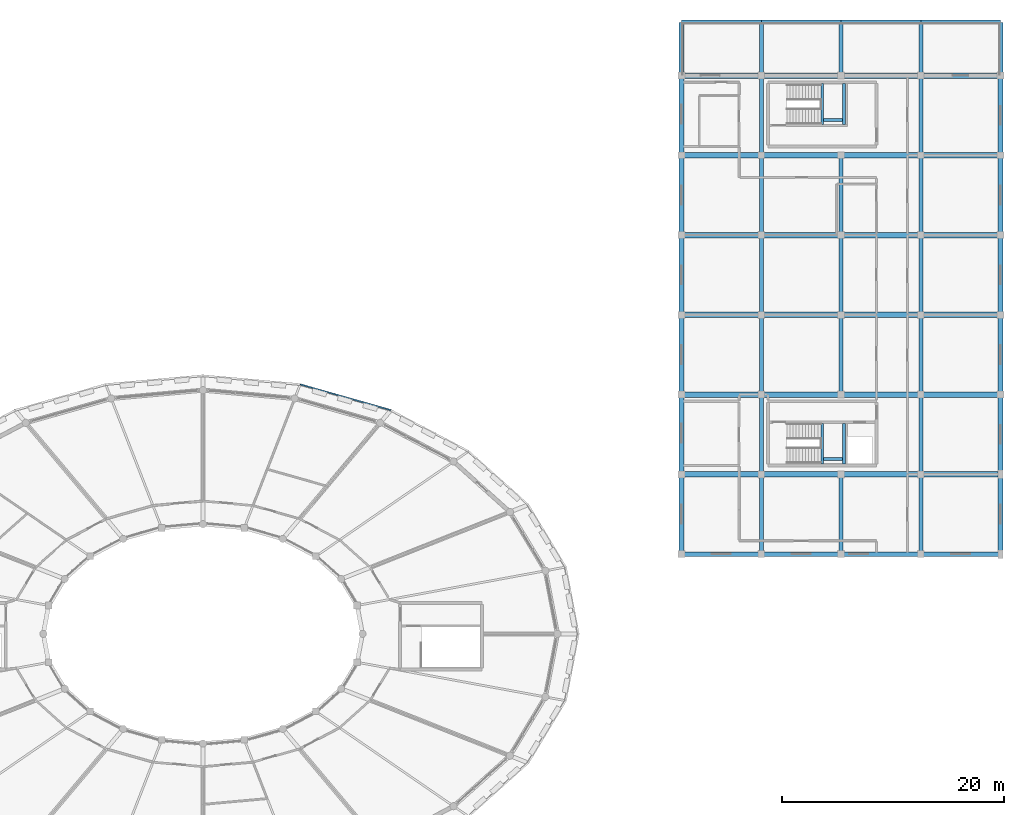
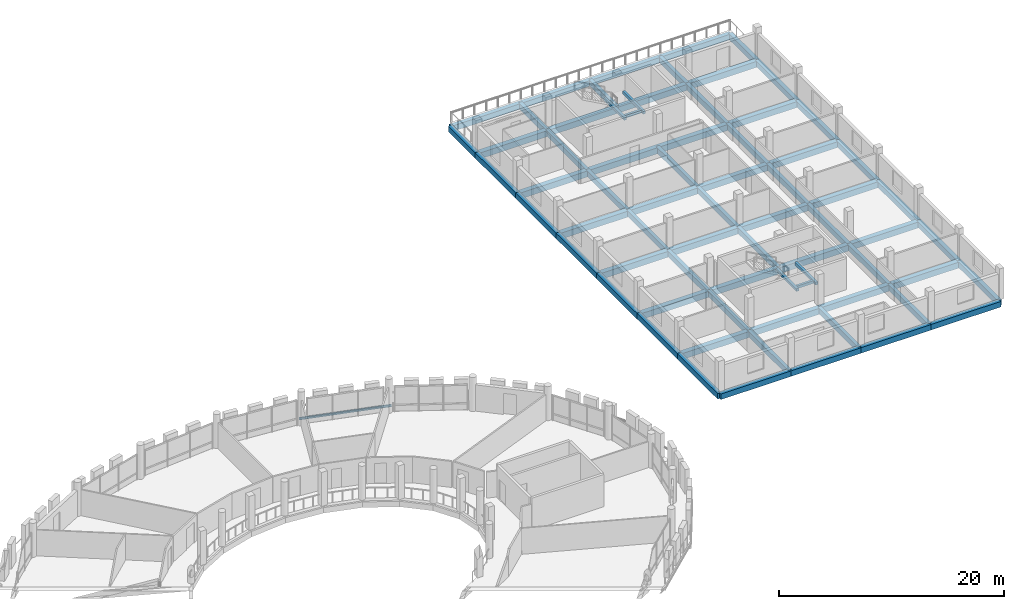
# One storey, part 56 of 84: 72 beams.
"""IFC4 building model written with IfcOpenShell, lengths in metres."""

from ifc_helpers import new_model, si_unit, direction, frame, origin, origin_2d, place, context, subcontext, project, spatial, rectangle, i_section, extrude, material, material_profile, profile_set, type_object, element, save


model = new_model("IFC4")

# Units and contexts
model_context = context("Model", 3, precision=1e-05, world=origin(), true_north=direction((0.0, 1.0)))
body_context = subcontext(model_context, "Body", "Model", "MODEL_VIEW")
ifc_project = project(units=[si_unit("LENGTHUNIT", "METRE"), si_unit("AREAUNIT", "SQUARE_METRE"), si_unit("VOLUMEUNIT", "CUBIC_METRE"), si_unit("PLANEANGLEUNIT", "RADIAN"), si_unit("MASSUNIT", "GRAM", prefix="KILO")], contexts=[model_context])

# Site, building, storey
site_placement = place(None, origin())
site = spatial("IfcSite", under=ifc_project, at=site_placement, CompositionType="ELEMENT")
building_placement = place(site_placement, origin())
building = spatial("IfcBuilding", under=site, at=building_placement, Name="Zornivar Specialist Clinic", CompositionType="ELEMENT")
storey_placement = place(building_placement, frame((0.0, 0.0, 12.300048828125)))
storey = spatial("IfcBuildingStorey", under=building, at=storey_placement, Name="L03", CompositionType="ELEMENT", Elevation=12.300048828125)

# Beams
ifc_material_1 = material(Name="Concrete C30/37", Category="concrete")
ifc_material_profile_1 = material_profile(ifc_material_1, rectangle(XDim=0.25, YDim=0.300048828125, at=origin_2d()), Name="RC 250x300")
ifc_profile_set_1 = profile_set([ifc_material_profile_1], Name="Concrete C30/37")
beam_type_1 = type_object("IfcBeamType", Name="BM-LAND-250x300", PredefinedType="BEAM", material=ifc_profile_set_1)
for number, where, z_axis, x_axis, name in (
    (1, (149.5, 72.929931640625, 1.52001953125), (0.0, 1.0, 0.0), (-1.0, 0.0, 0.0), "bm:stair:C9:L03:lW"),
    (2, (151.4599609375, 72.929931640625, 1.52001953125), (0.0, 1.0, 0.0), (-1.0, 0.0, 0.0), "bm:stair:C9:L03:lE"),
):
    element("IfcBeam", number, at=place(storey_placement, frame(where, z_axis=z_axis, x_axis=x_axis)), inside=storey, type_object=beam_type_1, Name=name, PredefinedType="BEAM", context=body_context, shape_type="SweptSolid", body=[
        extrude(rectangle(XDim=0.25, YDim=0.300048828125, at=origin_2d()), origin(), (0.0, 0.0, 1.0), 3.670166015625),
    ])
beam_1_placement = place(storey_placement, frame((149.635009765625, 73.3798828125, 1.52001953125), z_axis=(1.0, 0.0, 0.0), x_axis=(0.0, 1.0, 0.0)))
element("IfcBeam", 3, at=beam_1_placement, inside=storey, type_object=beam_type_1, Name="bm:stair:C9:L03:lS", PredefinedType="BEAM", context=body_context, shape_type="SweptSolid", body=[
    extrude(rectangle(XDim=0.25, YDim=0.300048828125, at=origin_2d()), origin(), (0.0, 0.0, 1.0), 1.68994140625),
])
for number, where, z_axis, x_axis, name in (
    (4, (149.5, 103.60009765625, 1.52001953125), (0.0, 1.0, 0.0), (-1.0, 0.0, 0.0), "bm:stair:C10:L03:lW"),
    (5, (151.4599609375, 103.60009765625, 1.52001953125), (0.0, 1.0, 0.0), (-1.0, 0.0, 0.0), "bm:stair:C10:L03:lE"),
):
    element("IfcBeam", number, at=place(storey_placement, frame(where, z_axis=z_axis, x_axis=x_axis)), inside=storey, type_object=beam_type_1, Name=name, PredefinedType="BEAM", context=body_context, shape_type="SweptSolid", body=[
        extrude(rectangle(XDim=0.25, YDim=0.300048828125, at=origin_2d()), origin(), (0.0, 0.0, 1.0), 3.669921875),
    ])
beam_2_placement = place(storey_placement, frame((149.635009765625, 103.97998046875, 1.52001953125), z_axis=(1.0, 0.0, 0.0), x_axis=(0.0, 1.0, 0.0)))
element("IfcBeam", 6, at=beam_2_placement, inside=storey, type_object=beam_type_1, Name="bm:stair:C10:L03:lS", PredefinedType="BEAM", context=body_context, shape_type="SweptSolid", body=[
    extrude(rectangle(XDim=0.25, YDim=0.300048828125, at=origin_2d()), origin(), (0.0, 0.0, 1.0), 1.68994140625),
])
ifc_material_2 = material(Name="Concrete C30/37", Category="concrete")
ifc_material_profile_2 = material_profile(ifc_material_2, rectangle(XDim=0.360107421875, YDim=0.60009765625, at=origin_2d()), Name="RC 360x600")
ifc_profile_set_2 = profile_set([ifc_material_profile_2], Name="Concrete C30/37")
beam_type_2 = type_object("IfcBeamType", Name="BM-RC-360x600", PredefinedType="BEAM", material=ifc_profile_set_2)
for number, where, z_axis, x_axis, name in (
    (7, (144.0, 64.800048828125, -0.6201171875), (0.0, 1.0, 0.0), (-1.0, 0.0, 0.0), "bm:V6:L03:y:1440:0"),
    (8, (144.0, 72.0, -0.6201171875), (0.0, 1.0, 0.0), (-1.0, 0.0, 0.0), "bm:V6:L03:y:1440:1"),
    (9, (144.0, 79.199951171875, -0.6201171875), (0.0, 1.0, 0.0), (-1.0, 0.0, 0.0), "bm:V6:L03:y:1440:2"),
):
    element("IfcBeam", number, at=place(storey_placement, frame(where, z_axis=z_axis, x_axis=x_axis)), inside=storey, type_object=beam_type_2, Name=name, PredefinedType="BEAM", context=body_context, shape_type="SweptSolid", body=[
        extrude(rectangle(XDim=0.360107421875, YDim=0.60009765625, at=origin_2d()), origin(), (0.0, 0.0, 1.0), 7.199951171875),
    ])
beam_3_placement = place(storey_placement, frame((144.0, 86.39990234375, -0.6201171875), z_axis=(0.0, 1.0, 0.0), x_axis=(-1.0, 0.0, 0.0)))
element("IfcBeam", 10, at=beam_3_placement, inside=storey, type_object=beam_type_2, Name="bm:V6:L03:y:1440:3", PredefinedType="BEAM", context=body_context, shape_type="SweptSolid", body=[
    extrude(rectangle(XDim=0.360107421875, YDim=0.60009765625, at=origin_2d()), origin(), (0.0, 0.0, 1.0), 7.2001953125),
])
for number, where, z_axis, x_axis, name in (
    (11, (144.0, 93.60009765625, -0.6201171875), (0.0, 1.0, 0.0), (-1.0, 0.0, 0.0), "bm:V6:L03:y:1440:4"),
    (12, (144.0, 100.800048828125, -0.6201171875), (0.0, 1.0, 0.0), (-1.0, 0.0, 0.0), "bm:V6:L03:y:1440:5"),
):
    element("IfcBeam", number, at=place(storey_placement, frame(where, z_axis=z_axis, x_axis=x_axis)), inside=storey, type_object=beam_type_2, Name=name, PredefinedType="BEAM", context=body_context, shape_type="SweptSolid", body=[
        extrude(rectangle(XDim=0.360107421875, YDim=0.60009765625, at=origin_2d()), origin(), (0.0, 0.0, 1.0), 7.199951171875),
    ])
beam_4_placement = place(storey_placement, frame((144.0, 108.0, -0.6201171875), z_axis=(0.0, 1.0, 0.0), x_axis=(-1.0, 0.0, 0.0)))
element("IfcBeam", 13, at=beam_4_placement, inside=storey, type_object=beam_type_2, Name="bm:V6:L03:y:1440:6", PredefinedType="BEAM", context=body_context, shape_type="SweptSolid", body=[
    extrude(rectangle(XDim=0.360107421875, YDim=0.60009765625, at=origin_2d()), origin(), (0.0, 0.0, 1.0), 4.800048828125),
])
for number, where, z_axis, x_axis, name in (
    (14, (151.199951171875, 64.800048828125, -0.6201171875), (0.0, 1.0, 0.0), (-1.0, 0.0, 0.0), "bm:V6:L03:y:1512:0"),
    (15, (151.199951171875, 79.199951171875, -0.6201171875), (0.0, 1.0, 0.0), (-1.0, 0.0, 0.0), "bm:V6:L03:y:1512:2"),
):
    element("IfcBeam", number, at=place(storey_placement, frame(where, z_axis=z_axis, x_axis=x_axis)), inside=storey, type_object=beam_type_2, Name=name, PredefinedType="BEAM", context=body_context, shape_type="SweptSolid", body=[
        extrude(rectangle(XDim=0.360107421875, YDim=0.60009765625, at=origin_2d()), origin(), (0.0, 0.0, 1.0), 7.199951171875),
    ])
beam_5_placement = place(storey_placement, frame((151.199951171875, 86.39990234375, -0.6201171875), z_axis=(0.0, 1.0, 0.0), x_axis=(-1.0, 0.0, 0.0)))
element("IfcBeam", 16, at=beam_5_placement, inside=storey, type_object=beam_type_2, Name="bm:V6:L03:y:1512:3", PredefinedType="BEAM", context=body_context, shape_type="SweptSolid", body=[
    extrude(rectangle(XDim=0.360107421875, YDim=0.60009765625, at=origin_2d()), origin(), (0.0, 0.0, 1.0), 7.2001953125),
])
beam_6_placement = place(storey_placement, frame((151.199951171875, 93.60009765625, -0.6201171875), z_axis=(0.0, 1.0, 0.0), x_axis=(-1.0, 0.0, 0.0)))
element("IfcBeam", 17, at=beam_6_placement, inside=storey, type_object=beam_type_2, Name="bm:V6:L03:y:1512:4", PredefinedType="BEAM", context=body_context, shape_type="SweptSolid", body=[
    extrude(rectangle(XDim=0.360107421875, YDim=0.60009765625, at=origin_2d()), origin(), (0.0, 0.0, 1.0), 7.199951171875),
])
beam_7_placement = place(storey_placement, frame((151.199951171875, 108.0, -0.6201171875), z_axis=(0.0, 1.0, 0.0), x_axis=(-1.0, 0.0, 0.0)))
element("IfcBeam", 18, at=beam_7_placement, inside=storey, type_object=beam_type_2, Name="bm:V6:L03:y:1512:6", PredefinedType="BEAM", context=body_context, shape_type="SweptSolid", body=[
    extrude(rectangle(XDim=0.360107421875, YDim=0.60009765625, at=origin_2d()), origin(), (0.0, 0.0, 1.0), 4.800048828125),
])
for number, where, z_axis, x_axis, name in (
    (19, (158.39990234375, 64.800048828125, -0.6201171875), (0.0, 1.0, 0.0), (-1.0, 0.0, 0.0), "bm:V6:L03:y:1584:0"),
    (20, (158.39990234375, 72.0, -0.6201171875), (0.0, 1.0, 0.0), (-1.0, 0.0, 0.0), "bm:V6:L03:y:1584:1"),
    (21, (158.39990234375, 79.199951171875, -0.6201171875), (0.0, 1.0, 0.0), (-1.0, 0.0, 0.0), "bm:V6:L03:y:1584:2"),
):
    element("IfcBeam", number, at=place(storey_placement, frame(where, z_axis=z_axis, x_axis=x_axis)), inside=storey, type_object=beam_type_2, Name=name, PredefinedType="BEAM", context=body_context, shape_type="SweptSolid", body=[
        extrude(rectangle(XDim=0.360107421875, YDim=0.60009765625, at=origin_2d()), origin(), (0.0, 0.0, 1.0), 7.199951171875),
    ])
beam_8_placement = place(storey_placement, frame((158.39990234375, 86.39990234375, -0.6201171875), z_axis=(0.0, 1.0, 0.0), x_axis=(-1.0, 0.0, 0.0)))
element("IfcBeam", 22, at=beam_8_placement, inside=storey, type_object=beam_type_2, Name="bm:V6:L03:y:1584:3", PredefinedType="BEAM", context=body_context, shape_type="SweptSolid", body=[
    extrude(rectangle(XDim=0.360107421875, YDim=0.60009765625, at=origin_2d()), origin(), (0.0, 0.0, 1.0), 7.2001953125),
])
for number, where, z_axis, x_axis, name in (
    (23, (158.39990234375, 93.60009765625, -0.6201171875), (0.0, 1.0, 0.0), (-1.0, 0.0, 0.0), "bm:V6:L03:y:1584:4"),
    (24, (158.39990234375, 100.800048828125, -0.6201171875), (0.0, 1.0, 0.0), (-1.0, 0.0, 0.0), "bm:V6:L03:y:1584:5"),
):
    element("IfcBeam", number, at=place(storey_placement, frame(where, z_axis=z_axis, x_axis=x_axis)), inside=storey, type_object=beam_type_2, Name=name, PredefinedType="BEAM", context=body_context, shape_type="SweptSolid", body=[
        extrude(rectangle(XDim=0.360107421875, YDim=0.60009765625, at=origin_2d()), origin(), (0.0, 0.0, 1.0), 7.199951171875),
    ])
beam_9_placement = place(storey_placement, frame((158.39990234375, 108.0, -0.6201171875), z_axis=(0.0, 1.0, 0.0), x_axis=(-1.0, 0.0, 0.0)))
element("IfcBeam", 25, at=beam_9_placement, inside=storey, type_object=beam_type_2, Name="bm:V6:L03:y:1584:6", PredefinedType="BEAM", context=body_context, shape_type="SweptSolid", body=[
    extrude(rectangle(XDim=0.360107421875, YDim=0.60009765625, at=origin_2d()), origin(), (0.0, 0.0, 1.0), 4.800048828125),
])
ifc_material_3 = material(Name="Concrete C30/37", Category="concrete")
ifc_material_profile_3 = material_profile(ifc_material_3, rectangle(XDim=0.5, YDim=0.64990234375, at=origin_2d()), Name="RC 500x650")
ifc_profile_set_3 = profile_set([ifc_material_profile_3], Name="Concrete C30/37")
beam_type_3 = type_object("IfcBeamType", Name="BM-RC-500x650", PredefinedType="BEAM", material=ifc_profile_set_3)
for number, where, z_axis, x_axis, name in (
    (26, (136.800048828125, 72.0, -0.64501953125), (1.0, 0.0, 0.0), (0.0, 1.0, 0.0), "bm:V6:L03:x:720:0"),
    (27, (144.0, 72.0, -0.64501953125), (1.0, 0.0, 0.0), (0.0, 1.0, 0.0), "bm:V6:L03:x:720:1"),
    (28, (151.199951171875, 72.0, -0.64501953125), (1.0, 0.0, 0.0), (0.0, 1.0, 0.0), "bm:V6:L03:x:720:2"),
):
    element("IfcBeam", number, at=place(storey_placement, frame(where, z_axis=z_axis, x_axis=x_axis)), inside=storey, type_object=beam_type_3, Name=name, PredefinedType="BEAM", context=body_context, shape_type="SweptSolid", body=[
        extrude(rectangle(XDim=0.5, YDim=0.64990234375, at=origin_2d()), origin(), (0.0, 0.0, 1.0), 7.199951171875),
    ])
beam_10_placement = place(storey_placement, frame((158.39990234375, 72.0, -0.64501953125), z_axis=(1.0, 0.0, 0.0), x_axis=(0.0, 1.0, 0.0)))
element("IfcBeam", 29, at=beam_10_placement, inside=storey, type_object=beam_type_3, Name="bm:V6:L03:x:720:3", PredefinedType="BEAM", context=body_context, shape_type="SweptSolid", body=[
    extrude(rectangle(XDim=0.5, YDim=0.64990234375, at=origin_2d()), origin(), (0.0, 0.0, 1.0), 7.2001953125),
])
for number, where, z_axis, x_axis, name in (
    (30, (136.800048828125, 79.199951171875, -0.64501953125), (1.0, 0.0, 0.0), (0.0, 1.0, 0.0), "bm:V6:L03:x:792:0"),
    (31, (144.0, 79.199951171875, -0.64501953125), (1.0, 0.0, 0.0), (0.0, 1.0, 0.0), "bm:V6:L03:x:792:1"),
    (32, (151.199951171875, 79.199951171875, -0.64501953125), (1.0, 0.0, 0.0), (0.0, 1.0, 0.0), "bm:V6:L03:x:792:2"),
):
    element("IfcBeam", number, at=place(storey_placement, frame(where, z_axis=z_axis, x_axis=x_axis)), inside=storey, type_object=beam_type_3, Name=name, PredefinedType="BEAM", context=body_context, shape_type="SweptSolid", body=[
        extrude(rectangle(XDim=0.5, YDim=0.64990234375, at=origin_2d()), origin(), (0.0, 0.0, 1.0), 7.199951171875),
    ])
beam_11_placement = place(storey_placement, frame((158.39990234375, 79.199951171875, -0.64501953125), z_axis=(1.0, 0.0, 0.0), x_axis=(0.0, 1.0, 0.0)))
element("IfcBeam", 33, at=beam_11_placement, inside=storey, type_object=beam_type_3, Name="bm:V6:L03:x:792:3", PredefinedType="BEAM", context=body_context, shape_type="SweptSolid", body=[
    extrude(rectangle(XDim=0.5, YDim=0.64990234375, at=origin_2d()), origin(), (0.0, 0.0, 1.0), 7.2001953125),
])
for number, where, z_axis, x_axis, name in (
    (34, (136.800048828125, 86.39990234375, -0.64501953125), (1.0, 0.0, 0.0), (0.0, 1.0, 0.0), "bm:V6:L03:x:864:0"),
    (35, (144.0, 86.39990234375, -0.64501953125), (1.0, 0.0, 0.0), (0.0, 1.0, 0.0), "bm:V6:L03:x:864:1"),
    (36, (151.199951171875, 86.39990234375, -0.64501953125), (1.0, 0.0, 0.0), (0.0, 1.0, 0.0), "bm:V6:L03:x:864:2"),
):
    element("IfcBeam", number, at=place(storey_placement, frame(where, z_axis=z_axis, x_axis=x_axis)), inside=storey, type_object=beam_type_3, Name=name, PredefinedType="BEAM", context=body_context, shape_type="SweptSolid", body=[
        extrude(rectangle(XDim=0.5, YDim=0.64990234375, at=origin_2d()), origin(), (0.0, 0.0, 1.0), 7.199951171875),
    ])
beam_12_placement = place(storey_placement, frame((158.39990234375, 86.39990234375, -0.64501953125), z_axis=(1.0, 0.0, 0.0), x_axis=(0.0, 1.0, 0.0)))
element("IfcBeam", 37, at=beam_12_placement, inside=storey, type_object=beam_type_3, Name="bm:V6:L03:x:864:3", PredefinedType="BEAM", context=body_context, shape_type="SweptSolid", body=[
    extrude(rectangle(XDim=0.5, YDim=0.64990234375, at=origin_2d()), origin(), (0.0, 0.0, 1.0), 7.2001953125),
])
for number, where, z_axis, x_axis, name in (
    (38, (136.800048828125, 93.60009765625, -0.64501953125), (1.0, 0.0, 0.0), (0.0, 1.0, 0.0), "bm:V6:L03:x:936:0"),
    (39, (144.0, 93.60009765625, -0.64501953125), (1.0, 0.0, 0.0), (0.0, 1.0, 0.0), "bm:V6:L03:x:936:1"),
    (40, (151.199951171875, 93.60009765625, -0.64501953125), (1.0, 0.0, 0.0), (0.0, 1.0, 0.0), "bm:V6:L03:x:936:2"),
):
    element("IfcBeam", number, at=place(storey_placement, frame(where, z_axis=z_axis, x_axis=x_axis)), inside=storey, type_object=beam_type_3, Name=name, PredefinedType="BEAM", context=body_context, shape_type="SweptSolid", body=[
        extrude(rectangle(XDim=0.5, YDim=0.64990234375, at=origin_2d()), origin(), (0.0, 0.0, 1.0), 7.199951171875),
    ])
beam_13_placement = place(storey_placement, frame((158.39990234375, 93.60009765625, -0.64501953125), z_axis=(1.0, 0.0, 0.0), x_axis=(0.0, 1.0, 0.0)))
element("IfcBeam", 41, at=beam_13_placement, inside=storey, type_object=beam_type_3, Name="bm:V6:L03:x:936:3", PredefinedType="BEAM", context=body_context, shape_type="SweptSolid", body=[
    extrude(rectangle(XDim=0.5, YDim=0.64990234375, at=origin_2d()), origin(), (0.0, 0.0, 1.0), 7.2001953125),
])
for number, where, z_axis, x_axis, name in (
    (42, (136.800048828125, 100.800048828125, -0.64501953125), (1.0, 0.0, 0.0), (0.0, 1.0, 0.0), "bm:V6:L03:x:1008:0"),
    (43, (144.0, 100.800048828125, -0.64501953125), (1.0, 0.0, 0.0), (0.0, 1.0, 0.0), "bm:V6:L03:x:1008:1"),
    (44, (151.199951171875, 100.800048828125, -0.64501953125), (1.0, 0.0, 0.0), (0.0, 1.0, 0.0), "bm:V6:L03:x:1008:2"),
):
    element("IfcBeam", number, at=place(storey_placement, frame(where, z_axis=z_axis, x_axis=x_axis)), inside=storey, type_object=beam_type_3, Name=name, PredefinedType="BEAM", context=body_context, shape_type="SweptSolid", body=[
        extrude(rectangle(XDim=0.5, YDim=0.64990234375, at=origin_2d()), origin(), (0.0, 0.0, 1.0), 7.199951171875),
    ])
beam_14_placement = place(storey_placement, frame((158.39990234375, 100.800048828125, -0.64501953125), z_axis=(1.0, 0.0, 0.0), x_axis=(0.0, 1.0, 0.0)))
element("IfcBeam", 45, at=beam_14_placement, inside=storey, type_object=beam_type_3, Name="bm:V6:L03:x:1008:3", PredefinedType="BEAM", context=body_context, shape_type="SweptSolid", body=[
    extrude(rectangle(XDim=0.5, YDim=0.64990234375, at=origin_2d()), origin(), (0.0, 0.0, 1.0), 7.2001953125),
])
for number, where, z_axis, x_axis, name in (
    (46, (136.800048828125, 108.0, -0.64501953125), (1.0, 0.0, 0.0), (0.0, 1.0, 0.0), "bm:V6:L03:x:1080:0"),
    (47, (144.0, 108.0, -0.64501953125), (1.0, 0.0, 0.0), (0.0, 1.0, 0.0), "bm:V6:L03:x:1080:1"),
    (48, (151.199951171875, 108.0, -0.64501953125), (1.0, 0.0, 0.0), (0.0, 1.0, 0.0), "bm:V6:L03:x:1080:2"),
):
    element("IfcBeam", number, at=place(storey_placement, frame(where, z_axis=z_axis, x_axis=x_axis)), inside=storey, type_object=beam_type_3, Name=name, PredefinedType="BEAM", context=body_context, shape_type="SweptSolid", body=[
        extrude(rectangle(XDim=0.5, YDim=0.64990234375, at=origin_2d()), origin(), (0.0, 0.0, 1.0), 7.199951171875),
    ])
beam_15_placement = place(storey_placement, frame((158.39990234375, 108.0, -0.64501953125), z_axis=(1.0, 0.0, 0.0), x_axis=(0.0, 1.0, 0.0)))
element("IfcBeam", 49, at=beam_15_placement, inside=storey, type_object=beam_type_3, Name="bm:V6:L03:x:1080:3", PredefinedType="BEAM", context=body_context, shape_type="SweptSolid", body=[
    extrude(rectangle(XDim=0.5, YDim=0.64990234375, at=origin_2d()), origin(), (0.0, 0.0, 1.0), 7.2001953125),
])
ifc_material_4 = material(Name="Concrete C30/37", Category="concrete")
ifc_material_profile_4 = material_profile(ifc_material_4, rectangle(XDim=0.419921875, YDim=0.60009765625, at=origin_2d()), Name="RC 420x600")
ifc_profile_set_4 = profile_set([ifc_material_profile_4], Name="Concrete C30/37")
beam_type_4 = type_object("IfcBeamType", Name="BM-RC-SPANDREL-420x600", PredefinedType="SPANDREL", material=ifc_profile_set_4)
for number, where, z_axis, x_axis, name in (
    (50, (136.800048828125, 64.800048828125, -0.6201171875), (1.0, 0.0, 0.0), (0.0, 1.0, 0.0), "bm:V6:L03:x:648:0"),
    (51, (144.0, 64.800048828125, -0.6201171875), (1.0, 0.0, 0.0), (0.0, 1.0, 0.0), "bm:V6:L03:x:648:1"),
    (52, (151.199951171875, 64.800048828125, -0.6201171875), (1.0, 0.0, 0.0), (0.0, 1.0, 0.0), "bm:V6:L03:x:648:2"),
):
    element("IfcBeam", number, at=place(storey_placement, frame(where, z_axis=z_axis, x_axis=x_axis)), inside=storey, type_object=beam_type_4, Name=name, PredefinedType="SPANDREL", context=body_context, shape_type="SweptSolid", body=[
        extrude(rectangle(XDim=0.419921875, YDim=0.60009765625, at=origin_2d()), origin(), (0.0, 0.0, 1.0), 7.199951171875),
    ])
beam_16_placement = place(storey_placement, frame((158.39990234375, 64.800048828125, -0.6201171875), z_axis=(1.0, 0.0, 0.0), x_axis=(0.0, 1.0, 0.0)))
element("IfcBeam", 53, at=beam_16_placement, inside=storey, type_object=beam_type_4, Name="bm:V6:L03:x:648:3", PredefinedType="SPANDREL", context=body_context, shape_type="SweptSolid", body=[
    extrude(rectangle(XDim=0.419921875, YDim=0.60009765625, at=origin_2d()), origin(), (0.0, 0.0, 1.0), 7.2001953125),
])
for number, where, z_axis, x_axis, name in (
    (54, (136.800048828125, 112.800048828125, -0.6201171875), (1.0, 0.0, 0.0), (0.0, 1.0, 0.0), "bm:V6:L03:x:1128:0"),
    (55, (144.0, 112.800048828125, -0.6201171875), (1.0, 0.0, 0.0), (0.0, 1.0, 0.0), "bm:V6:L03:x:1128:1"),
    (56, (151.199951171875, 112.800048828125, -0.6201171875), (1.0, 0.0, 0.0), (0.0, 1.0, 0.0), "bm:V6:L03:x:1128:2"),
):
    element("IfcBeam", number, at=place(storey_placement, frame(where, z_axis=z_axis, x_axis=x_axis)), inside=storey, type_object=beam_type_4, Name=name, PredefinedType="SPANDREL", context=body_context, shape_type="SweptSolid", body=[
        extrude(rectangle(XDim=0.419921875, YDim=0.60009765625, at=origin_2d()), origin(), (0.0, 0.0, 1.0), 7.199951171875),
    ])
beam_17_placement = place(storey_placement, frame((158.39990234375, 112.800048828125, -0.6201171875), z_axis=(1.0, 0.0, 0.0), x_axis=(0.0, 1.0, 0.0)))
element("IfcBeam", 57, at=beam_17_placement, inside=storey, type_object=beam_type_4, Name="bm:V6:L03:x:1128:3", PredefinedType="SPANDREL", context=body_context, shape_type="SweptSolid", body=[
    extrude(rectangle(XDim=0.419921875, YDim=0.60009765625, at=origin_2d()), origin(), (0.0, 0.0, 1.0), 7.2001953125),
])
for number, where, z_axis, x_axis, name in (
    (58, (136.800048828125, 64.800048828125, -0.6201171875), (0.0, 1.0, 0.0), (-1.0, 0.0, 0.0), "bm:V6:L03:y:1368:0"),
    (59, (136.800048828125, 72.0, -0.6201171875), (0.0, 1.0, 0.0), (-1.0, 0.0, 0.0), "bm:V6:L03:y:1368:1"),
    (60, (136.800048828125, 79.199951171875, -0.6201171875), (0.0, 1.0, 0.0), (-1.0, 0.0, 0.0), "bm:V6:L03:y:1368:2"),
):
    element("IfcBeam", number, at=place(storey_placement, frame(where, z_axis=z_axis, x_axis=x_axis)), inside=storey, type_object=beam_type_4, Name=name, PredefinedType="SPANDREL", context=body_context, shape_type="SweptSolid", body=[
        extrude(rectangle(XDim=0.419921875, YDim=0.60009765625, at=origin_2d()), origin(), (0.0, 0.0, 1.0), 7.199951171875),
    ])
beam_18_placement = place(storey_placement, frame((136.800048828125, 86.39990234375, -0.6201171875), z_axis=(0.0, 1.0, 0.0), x_axis=(-1.0, 0.0, 0.0)))
element("IfcBeam", 61, at=beam_18_placement, inside=storey, type_object=beam_type_4, Name="bm:V6:L03:y:1368:3", PredefinedType="SPANDREL", context=body_context, shape_type="SweptSolid", body=[
    extrude(rectangle(XDim=0.419921875, YDim=0.60009765625, at=origin_2d()), origin(), (0.0, 0.0, 1.0), 7.2001953125),
])
for number, where, z_axis, x_axis, name in (
    (62, (136.800048828125, 93.60009765625, -0.6201171875), (0.0, 1.0, 0.0), (-1.0, 0.0, 0.0), "bm:V6:L03:y:1368:4"),
    (63, (136.800048828125, 100.800048828125, -0.6201171875), (0.0, 1.0, 0.0), (-1.0, 0.0, 0.0), "bm:V6:L03:y:1368:5"),
):
    element("IfcBeam", number, at=place(storey_placement, frame(where, z_axis=z_axis, x_axis=x_axis)), inside=storey, type_object=beam_type_4, Name=name, PredefinedType="SPANDREL", context=body_context, shape_type="SweptSolid", body=[
        extrude(rectangle(XDim=0.419921875, YDim=0.60009765625, at=origin_2d()), origin(), (0.0, 0.0, 1.0), 7.199951171875),
    ])
beam_19_placement = place(storey_placement, frame((136.800048828125, 108.0, -0.6201171875), z_axis=(0.0, 1.0, 0.0), x_axis=(-1.0, 0.0, 0.0)))
element("IfcBeam", 64, at=beam_19_placement, inside=storey, type_object=beam_type_4, Name="bm:V6:L03:y:1368:6", PredefinedType="SPANDREL", context=body_context, shape_type="SweptSolid", body=[
    extrude(rectangle(XDim=0.419921875, YDim=0.60009765625, at=origin_2d()), origin(), (0.0, 0.0, 1.0), 4.800048828125),
])
for number, where, z_axis, x_axis, name in (
    (65, (165.60009765625, 64.800048828125, -0.6201171875), (0.0, 1.0, 0.0), (-1.0, 0.0, 0.0), "bm:V6:L03:y:1656:0"),
    (66, (165.60009765625, 72.0, -0.6201171875), (0.0, 1.0, 0.0), (-1.0, 0.0, 0.0), "bm:V6:L03:y:1656:1"),
    (67, (165.60009765625, 79.199951171875, -0.6201171875), (0.0, 1.0, 0.0), (-1.0, 0.0, 0.0), "bm:V6:L03:y:1656:2"),
):
    element("IfcBeam", number, at=place(storey_placement, frame(where, z_axis=z_axis, x_axis=x_axis)), inside=storey, type_object=beam_type_4, Name=name, PredefinedType="SPANDREL", context=body_context, shape_type="SweptSolid", body=[
        extrude(rectangle(XDim=0.419921875, YDim=0.60009765625, at=origin_2d()), origin(), (0.0, 0.0, 1.0), 7.199951171875),
    ])
beam_20_placement = place(storey_placement, frame((165.60009765625, 86.39990234375, -0.6201171875), z_axis=(0.0, 1.0, 0.0), x_axis=(-1.0, 0.0, 0.0)))
element("IfcBeam", 68, at=beam_20_placement, inside=storey, type_object=beam_type_4, Name="bm:V6:L03:y:1656:3", PredefinedType="SPANDREL", context=body_context, shape_type="SweptSolid", body=[
    extrude(rectangle(XDim=0.419921875, YDim=0.60009765625, at=origin_2d()), origin(), (0.0, 0.0, 1.0), 7.2001953125),
])
for number, where, z_axis, x_axis, name in (
    (69, (165.60009765625, 93.60009765625, -0.6201171875), (0.0, 1.0, 0.0), (-1.0, 0.0, 0.0), "bm:V6:L03:y:1656:4"),
    (70, (165.60009765625, 100.800048828125, -0.6201171875), (0.0, 1.0, 0.0), (-1.0, 0.0, 0.0), "bm:V6:L03:y:1656:5"),
):
    element("IfcBeam", number, at=place(storey_placement, frame(where, z_axis=z_axis, x_axis=x_axis)), inside=storey, type_object=beam_type_4, Name=name, PredefinedType="SPANDREL", context=body_context, shape_type="SweptSolid", body=[
        extrude(rectangle(XDim=0.419921875, YDim=0.60009765625, at=origin_2d()), origin(), (0.0, 0.0, 1.0), 7.199951171875),
    ])
beam_21_placement = place(storey_placement, frame((165.60009765625, 108.0, -0.6201171875), z_axis=(0.0, 1.0, 0.0), x_axis=(-1.0, 0.0, 0.0)))
element("IfcBeam", 71, at=beam_21_placement, inside=storey, type_object=beam_type_4, Name="bm:V6:L03:y:1656:6", PredefinedType="SPANDREL", context=body_context, shape_type="SweptSolid", body=[
    extrude(rectangle(XDim=0.419921875, YDim=0.60009765625, at=origin_2d()), origin(), (0.0, 0.0, 1.0), 4.800048828125),
])
ifc_material_5 = material(Name="Steel S355J2", Category="steel")
ifc_material_profile_5 = material_profile(ifc_material_5, i_section(OverallWidth=0.1201171875, OverallDepth=0.239990234375, WebThickness=0.006103515625, FlangeThickness=0.009765625, FilletRadius=0.014892578125, at=origin_2d()), Name="IPE 240")
ifc_profile_set_5 = profile_set([ifc_material_profile_5], Name="Steel S355J2")
beam_type_5 = type_object("IfcBeamType", Name="BM-STL-IPE240", PredefinedType="JOIST", material=ifc_profile_set_5)
beam_22_placement = place(storey_placement, frame((110.56005859375, 77.7958984375, -0.360107421875), z_axis=(-0.961783454314, 0.273811225131, 0.0), x_axis=(-0.273811225131, -0.961783454314, 0.0)))
element("IfcBeam", 72, at=beam_22_placement, inside=storey, type_object=beam_type_5, Name="bm:V1:L03:balring:04", PredefinedType="JOIST", context=body_context, shape_type="SweptSolid", body=[
    extrude(i_section(OverallWidth=0.1201171875, OverallDepth=0.239990234375, WebThickness=0.006103515625, FlangeThickness=0.009765625, FilletRadius=0.014892578125, at=origin_2d()), origin(), (0.0, 0.0, 1.0), 8.50634765625),
])

save(model, "model.ifc")
